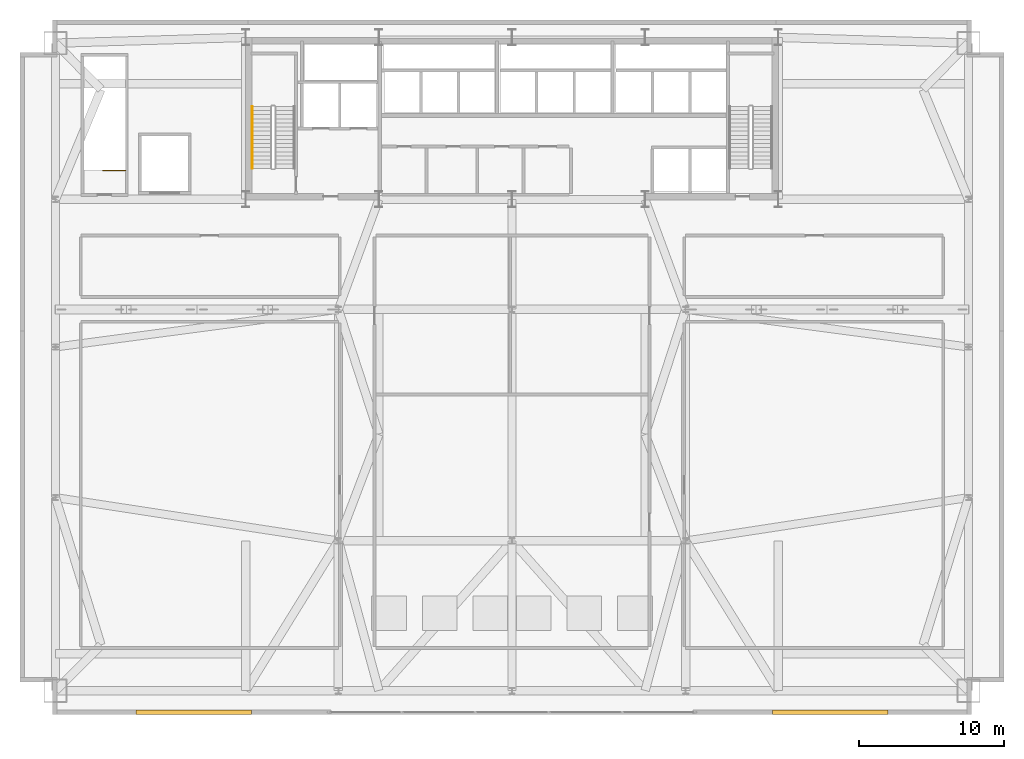
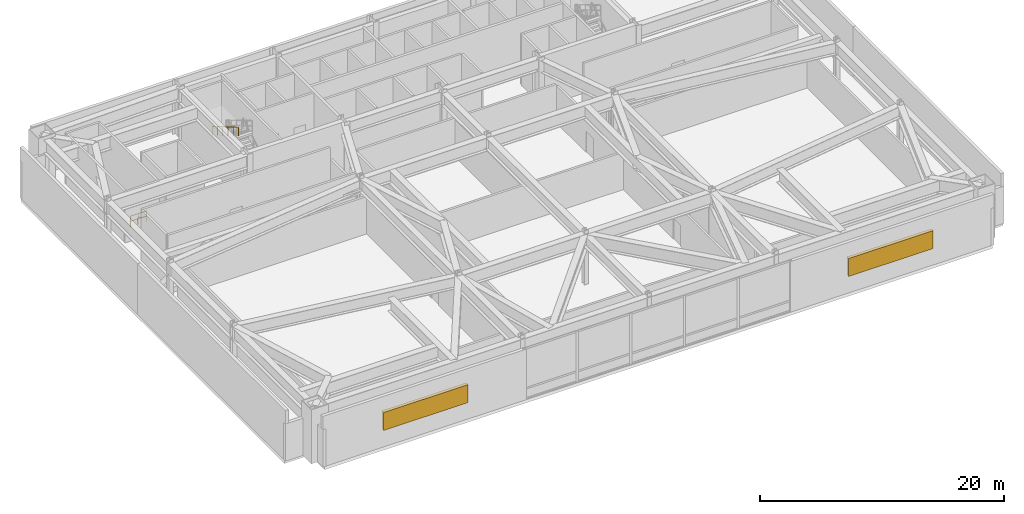
# One storey, part 15 of 16: 2 railings, 2 shading devices.
"""IFC4 building model written with IfcOpenShell, lengths in metres."""

from ifc_helpers import new_model, si_unit, direction, frame, origin, origin_2d, place, context, subcontext, project, spatial, rectangle, extrude, source, transform, mapped, material, layer, layer_set, type_object, type_shapes, element, save


model = new_model("IFC4")

# Units and contexts
model_context = context("Model", 3, precision=1e-05, world=origin(), true_north=direction((0.0, 1.0)))
body_context = subcontext(model_context, "Body", "Model", "MODEL_VIEW")
ifc_project = project(units=[si_unit("LENGTHUNIT", "METRE"), si_unit("AREAUNIT", "SQUARE_METRE"), si_unit("VOLUMEUNIT", "CUBIC_METRE"), si_unit("PLANEANGLEUNIT", "RADIAN"), si_unit("MASSUNIT", "GRAM", prefix="KILO")], contexts=[model_context])

# Site, building, storey
site_placement = place(None, origin())
site = spatial("IfcSite", under=ifc_project, at=site_placement, CompositionType="ELEMENT")
building_placement = place(site_placement, origin())
building = spatial("IfcBuilding", under=site, at=building_placement, Name="Varnel Quay Broadcast Tower", CompositionType="ELEMENT")
storey_placement = place(building_placement, frame((0.0, 0.0, 22.199951171875)))
storey = spatial("IfcBuildingStorey", under=building, at=storey_placement, Name="L04", CompositionType="ELEMENT", Elevation=22.199951171875)

# Railings
ifc_material_1 = material(Name="Painted Steel Guard and Handrail CSA G40.21 350W", Category="steel")
railing_type_1 = type_object("IfcRailingType", Name="Rail_StairGuard1100", PredefinedType="GUARDRAIL", material=ifc_material_1)
railing_1_placement = place(storey_placement, frame((7.300048828125, 37.60009765625, 0.0)))
element("IfcRailing", 1, at=railing_1_placement, inside=storey, type_object=railing_type_1, Name="L04 ST-03 top well guard 1", PredefinedType="GUARDRAIL", context=body_context, shape_type="SweptSolid", body=[
    extrude(rectangle(XDim=0.048095703125, YDim=0.048095703125, at=origin_2d()), frame((0.0, 0.0, 1.076171875), z_axis=(-1.0, 0.0, 0.0), x_axis=(0.0, -1.0, 0.0)), (0.0, 0.0, 1.0), 1.550048828125),
    extrude(rectangle(XDim=0.048095703125, YDim=0.048095703125, at=origin_2d()), frame((0.0, 0.0, 0.550048828125), z_axis=(-1.0, 0.0, 0.0), x_axis=(0.0, -1.0, 0.0)), (0.0, 0.0, 1.0), 1.550048828125),
    extrude(rectangle(XDim=0.0419921875, YDim=0.0419921875, at=origin_2d()), origin(), (0.0, 0.0, 1.0), 1.052001953125),
    extrude(rectangle(XDim=0.0419921875, YDim=0.0419921875, at=origin_2d()), frame((-0.77490234375, 0.0, 0.0)), (0.0, 0.0, 1.0), 1.052001953125),
    extrude(rectangle(XDim=0.0419921875, YDim=0.0419921875, at=origin_2d()), frame((-1.550048828125, 0.0, 0.0)), (0.0, 0.0, 1.0), 1.052001953125),
])
railing_type_2 = type_object("IfcRailingType", Name="Rail_StairHandrail900", PredefinedType="HANDRAIL", material=ifc_material_1)
railing_2_placement = place(storey_placement, frame((16.050048828125, 42.02490234375, 2.868896484375)))
element("IfcRailing", 2, at=railing_2_placement, inside=storey, type_object=railing_type_2, Name="L04 ST-01 stair handrail 2", PredefinedType="HANDRAIL", context=body_context, shape_type="SweptSolid", body=[
    extrude(rectangle(XDim=0.048095703125, YDim=0.048095703125, at=origin_2d()), frame((0.0, 0.0, 0.8759765625), z_axis=(0.0, -0.860470286479, 0.509500624227), x_axis=(1.0, 0.0, 0.0)), (0.0, 0.0, 1.0), 4.968017578125),
    extrude(rectangle(XDim=0.0419921875, YDim=0.0419921875, at=origin_2d()), origin(), (0.0, 0.0, 1.0), 0.851806640625),
    extrude(rectangle(XDim=0.0419921875, YDim=0.0419921875, at=origin_2d()), frame((0.0, -0.85498046875, 0.50634765625)), (0.0, 0.0, 1.0), 0.851806640625),
    extrude(rectangle(XDim=0.0419921875, YDim=0.0419921875, at=origin_2d()), frame((0.0, -1.7099609375, 1.012451171875)), (0.0, 0.0, 1.0), 0.851806640625),
    extrude(rectangle(XDim=0.0419921875, YDim=0.0419921875, at=origin_2d()), frame((0.0, -2.56494140625, 1.518798828125)), (0.0, 0.0, 1.0), 0.851806640625),
    extrude(rectangle(XDim=0.0419921875, YDim=0.0419921875, at=origin_2d()), frame((0.0, -3.419921875, 2.02490234375)), (0.0, 0.0, 1.0), 0.851806640625),
    extrude(rectangle(XDim=0.0419921875, YDim=0.0419921875, at=origin_2d()), frame((0.0, -4.27490234375, 2.53125)), (0.0, 0.0, 1.0), 0.851806640625),
])

# Shading devices
ifc_material_2 = material(Name="Anodised Bronze Aluminium 6063-T6", Category="aluminium")
ifc_layer = layer(ifc_material_2, 0.080078125, Name="Anodised Bronze Aluminium 6063-T6")
ifc_layer_set = layer_set([ifc_layer], Name="Anodised Bronze Aluminium 6063-T6")
shading_device_type = type_object("IfcShadingDeviceType", Name="Shade_PlantLouvre", PredefinedType="SHUTTER", material=ifc_layer_set)
shared_shape = source(origin(), body_context, "Body", "SweptSolid", [
    extrude(rectangle(XDim=8.0, YDim=0.300048828125, at=origin_2d()), origin(), (0.0, 0.0, 1.0), 1.800048828125),
])
type_shapes(shading_device_type, [shared_shape])
for number, where, z_axis, x_axis, name in (
    (3, (12.0, 0.14990234375, 1.64013671875), (0.0, 0.0, 1.0), (1.0, 0.0, 0.0), "L04 Mechanical Acoustic Louvre 1"),
    (4, (56.0, 0.14990234375, 1.64013671875), (0.0, 0.0, 1.0), (1.0, 0.0, 0.0), "L04 Mechanical Acoustic Louvre 2"),
):
    element("IfcShadingDevice", number, at=place(storey_placement, frame(where, z_axis=z_axis, x_axis=x_axis)), inside=storey, type_object=shading_device_type, Name=name, PredefinedType="SHUTTER", context=body_context, shape_type="MappedRepresentation", body=[
        mapped(shared_shape, transform((0.0, 0.0, 0.0), x_axis=(1.0, 0.0, 0.0), y_axis=(0.0, 1.0, 0.0), z_axis=(0.0, 0.0, 1.0), scale=1.0)),
    ])

save(model, "model.ifc")
